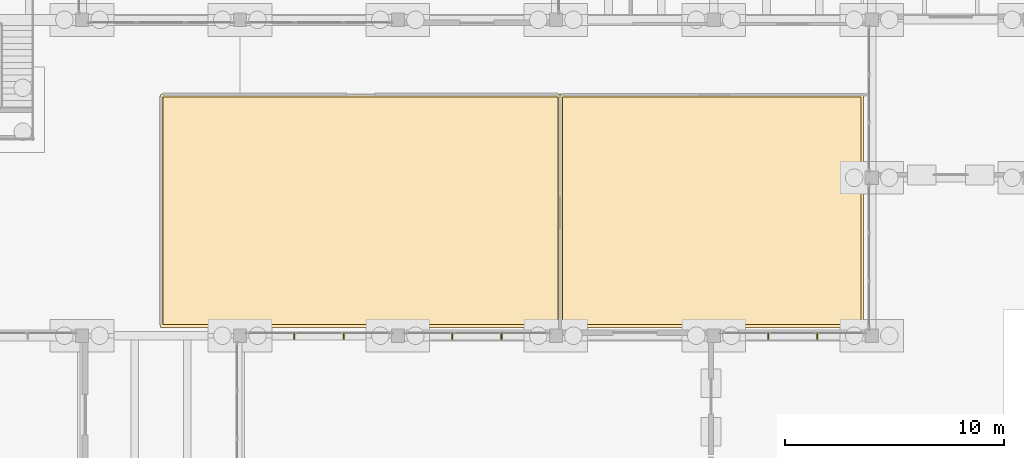
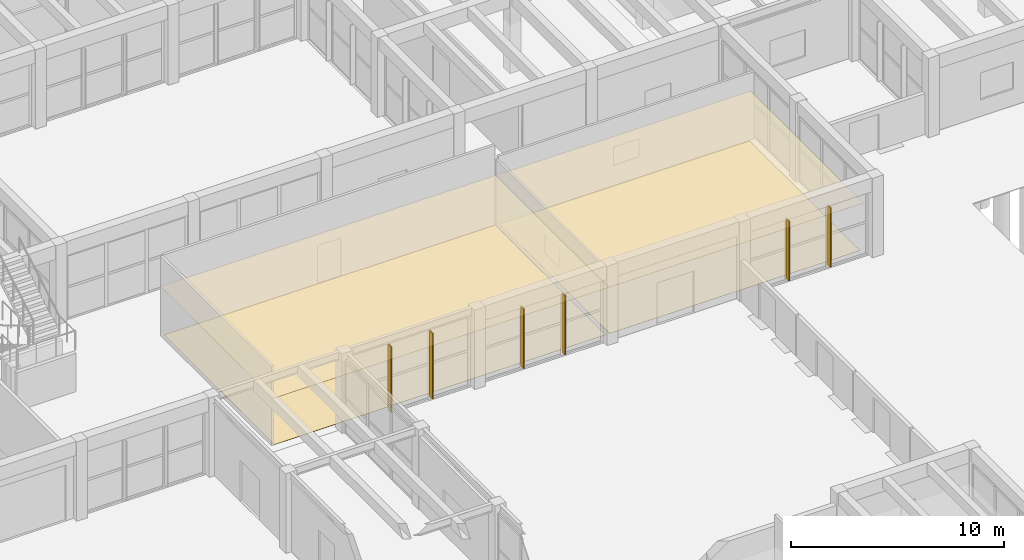
# One storey, part 139 of 155: 6 shading devices, 4 coverings.
"""IFC4 building model written with IfcOpenShell, lengths in metres."""

from ifc_helpers import new_model, si_unit, direction, frame, origin, origin_2d, place, context, subcontext, project, spatial, polyline, rectangle, outline, extrude, material, layer, layer_set, type_object, element, save


model = new_model("IFC4")

# Units and contexts
model_context = context("Model", 3, precision=1e-05, world=origin(), true_north=direction((0.0, 1.0)))
body_context = subcontext(model_context, "Body", "Model", "MODEL_VIEW")
ifc_project = project(units=[si_unit("LENGTHUNIT", "METRE"), si_unit("AREAUNIT", "SQUARE_METRE"), si_unit("VOLUMEUNIT", "CUBIC_METRE"), si_unit("PLANEANGLEUNIT", "RADIAN"), si_unit("MASSUNIT", "GRAM", prefix="KILO")], contexts=[model_context])

# Site, building, storey
site_placement = place(None, origin())
site = spatial("IfcSite", under=ifc_project, at=site_placement, CompositionType="ELEMENT")
building_placement = place(site_placement, origin())
building = spatial("IfcBuilding", under=site, at=building_placement, Name="Bramvelor Terrace Health Centre", CompositionType="ELEMENT")
storey_placement = place(building_placement, origin())
storey = spatial("IfcBuildingStorey", under=building, at=storey_placement, Name="L01", CompositionType="ELEMENT", Elevation=0.0)

# Coverings
ifc_material_1 = material(Name="Hygienic mineral-fibre acoustic ceiling", Category="gypsum")
ifc_layer_1 = layer(ifc_material_1, 0.02001953125)
ifc_layer_set_1 = layer_set([ifc_layer_1], Name="Hygienic mineral-fibre acoustic ceiling")
covering_type_1 = type_object("IfcCoveringType", Name="COV-CLG-ACT", PredefinedType="CEILING", material=ifc_layer_set_1)
covering_1_placement = place(storey_placement, frame((0.0, 0.0, 2.75)))
element("IfcCovering", 1, at=covering_1_placement, inside=storey, type_object=covering_type_1, Name="L01 Main Public Waiting and Reception Hall Acoustic Ceiling", PredefinedType="CEILING", context=body_context, shape_type="SweptSolid", body=[
    extrude(outline(polyline([(79.389892578125, 47.010009765625), (79.39208984375, 47.010009765625), (79.393798828125, 47.009521484375), (79.395751953125, 47.009033203125), (79.397705078125, 47.008544921875), (79.3994140625, 47.007568359375), (79.401123046875, 47.006591796875), (79.402587890625, 47.005615234375), (79.404052734375, 47.004150390625), (79.405517578125, 47.002685546875), (79.406494140625, 47.001220703125), (79.40771484375, 46.99951171875), (79.408447265625, 46.997802734375), (79.4091796875, 46.995849609375), (79.40966796875, 46.993896484375), (79.409912109375, 46.991943359375), (79.409912109375, 46.989990234375), (79.409912109375, 36.39990234375), (79.409912109375, 36.39794921875), (79.40966796875, 36.39599609375), (79.4091796875, 36.394287109375), (79.408447265625, 36.392333984375), (79.40771484375, 36.390625), (79.406494140625, 36.388916015625), (79.405517578125, 36.38720703125), (79.404052734375, 36.385986328125), (79.402587890625, 36.384521484375), (79.401123046875, 36.38330078125), (79.3994140625, 36.38232421875), (79.397705078125, 36.381591796875), (79.395751953125, 36.380859375), (79.393798828125, 36.38037109375), (79.39208984375, 36.380126953125), (79.389892578125, 36.3798828125), (61.201904296875, 36.3798828125), (61.199951171875, 36.380126953125), (61.197998046875, 36.38037109375), (61.1962890625, 36.380859375), (61.1943359375, 36.381591796875), (61.192626953125, 36.38232421875), (61.19091796875, 36.38330078125), (61.189208984375, 36.384521484375), (61.18798828125, 36.385986328125), (61.1865234375, 36.38720703125), (61.185302734375, 36.388916015625), (61.184326171875, 36.390625), (61.18359375, 36.392333984375), (61.182861328125, 36.394287109375), (61.182373046875, 36.39599609375), (61.18212890625, 36.39794921875), (61.181884765625, 36.39990234375), (61.181884765625, 46.989990234375), (61.18212890625, 46.991943359375), (61.182373046875, 46.993896484375), (61.182861328125, 46.995849609375), (61.18359375, 46.997802734375), (61.184326171875, 46.99951171875), (61.185302734375, 47.001220703125), (61.1865234375, 47.002685546875), (61.18798828125, 47.004150390625), (61.189208984375, 47.005615234375), (61.19091796875, 47.006591796875), (61.192626953125, 47.007568359375), (61.1943359375, 47.008544921875), (61.1962890625, 47.009033203125), (61.197998046875, 47.009521484375), (61.199951171875, 47.010009765625), (61.201904296875, 47.010009765625), (79.389892578125, 47.010009765625)])), origin(), (0.0, 0.0, 1.0), 0.02001953125),
])
covering_2_placement = place(storey_placement, frame((0.0, 0.0, 2.75)))
element("IfcCovering", 2, at=covering_2_placement, inside=storey, type_object=covering_type_1, Name="L01 Patient Registration and Triage Clinic Acoustic Ceiling", PredefinedType="CEILING", context=body_context, shape_type="SweptSolid", body=[
    extrude(outline(polyline([(79.3798828125, 46.989990234375), (79.380126953125, 46.991943359375), (79.38037109375, 46.993896484375), (79.380859375, 46.995849609375), (79.381591796875, 46.997802734375), (79.38232421875, 46.99951171875), (79.38330078125, 47.001220703125), (79.384521484375, 47.002685546875), (79.385986328125, 47.004150390625), (79.38720703125, 47.005615234375), (79.388916015625, 47.006591796875), (79.390625, 47.007568359375), (79.392333984375, 47.008544921875), (79.394287109375, 47.009033203125), (79.39599609375, 47.009521484375), (79.39794921875, 47.010009765625), (79.39990234375, 47.010009765625), (93.199951171875, 47.010009765625), (93.201904296875, 47.010009765625), (93.203857421875, 47.009521484375), (93.205810546875, 47.009033203125), (93.207763671875, 47.008544921875), (93.20947265625, 47.007568359375), (93.211181640625, 47.006591796875), (93.212646484375, 47.005615234375), (93.214111328125, 47.004150390625), (93.215576171875, 47.002685546875), (93.216552734375, 47.001220703125), (93.217529296875, 46.99951171875), (93.218505859375, 46.997802734375), (93.218994140625, 46.995849609375), (93.219482421875, 46.993896484375), (93.219970703125, 46.991943359375), (93.219970703125, 46.989990234375), (93.219970703125, 36.39990234375), (93.219970703125, 36.39794921875), (93.219482421875, 36.39599609375), (93.218994140625, 36.394287109375), (93.218505859375, 36.392333984375), (93.217529296875, 36.390625), (93.216552734375, 36.388916015625), (93.215576171875, 36.38720703125), (93.214111328125, 36.385986328125), (93.212646484375, 36.384521484375), (93.211181640625, 36.38330078125), (93.20947265625, 36.38232421875), (93.207763671875, 36.381591796875), (93.205810546875, 36.380859375), (93.203857421875, 36.38037109375), (93.201904296875, 36.380126953125), (93.199951171875, 36.3798828125), (79.39990234375, 36.3798828125), (79.39794921875, 36.380126953125), (79.39599609375, 36.38037109375), (79.394287109375, 36.380859375), (79.392333984375, 36.381591796875), (79.390625, 36.38232421875), (79.388916015625, 36.38330078125), (79.38720703125, 36.384521484375), (79.385986328125, 36.385986328125), (79.384521484375, 36.38720703125), (79.38330078125, 36.388916015625), (79.38232421875, 36.390625), (79.381591796875, 36.392333984375), (79.380859375, 36.394287109375), (79.38037109375, 36.39599609375), (79.380126953125, 36.39794921875), (79.3798828125, 36.39990234375), (79.3798828125, 46.989990234375)])), origin(), (0.0, 0.0, 1.0), 0.02001953125),
])
ifc_material_2 = material(Name="Seamless antimicrobial clinical vinyl", Category="polymer")
ifc_layer_2 = layer(ifc_material_2, 0.008056640625)
ifc_layer_set_2 = layer_set([ifc_layer_2], Name="Seamless antimicrobial clinical vinyl")
covering_type_2 = type_object("IfcCoveringType", Name="COV-FLR-VNL", PredefinedType="FLOORING", material=ifc_layer_set_2)
covering_3_placement = place(storey_placement, origin())
element("IfcCovering", 3, at=covering_3_placement, inside=storey, type_object=covering_type_2, Name="L01 Main Public Waiting and Reception Hall Clinical Vinyl Flooring", PredefinedType="FLOORING", context=body_context, shape_type="SweptSolid", body=[
    extrude(outline(polyline([(79.2900390625, 46.889892578125), (79.2900390625, 36.5), (61.302001953125, 36.5), (61.302001953125, 46.889892578125), (79.2900390625, 46.889892578125)])), origin(), (0.0, 0.0, 1.0), 0.008056640625),
])
covering_4_placement = place(storey_placement, origin())
element("IfcCovering", 4, at=covering_4_placement, inside=storey, type_object=covering_type_2, Name="L01 Patient Registration and Triage Clinic Clinical Vinyl Flooring", PredefinedType="FLOORING", context=body_context, shape_type="SweptSolid", body=[
    extrude(outline(polyline([(79.5, 46.889892578125), (93.10009765625, 46.889892578125), (93.10009765625, 36.5), (79.5, 36.5), (79.5, 46.889892578125)])), origin(), (0.0, 0.0, 1.0), 0.008056640625),
])

# Shading devices
ifc_material_3 = material(Name="Anodized aluminium 6063-T6", Category="aluminium")
ifc_layer_3 = layer(ifc_material_3, 0.050048828125)
ifc_layer_set_3 = layer_set([ifc_layer_3], Name="Anodized aluminium 6063-T6")
shading_device_type = type_object("IfcShadingDeviceType", Name="SHD-FIN-300", PredefinedType="JALOUSIE", material=ifc_layer_set_3)
for number, where, z_axis, x_axis, name in (
    (5, (91.123779296875, 35.97998046875, 0.150146484375), (0.0, 0.0, 1.0), (1.0, 0.0, 0.0), "L01 Solar Shading Louvre Fin 39"),
    (6, (88.876220703125, 35.97998046875, 0.150146484375), (0.0, 0.0, 1.0), (1.0, 0.0, 0.0), "L01 Solar Shading Louvre Fin 40"),
    (7, (76.7236328125, 35.97998046875, 0.150146484375), (0.0, 0.0, 1.0), (1.0, 0.0, 0.0), "L01 Solar Shading Louvre Fin 41"),
    (8, (74.476318359375, 35.97998046875, 0.150146484375), (0.0, 0.0, 1.0), (1.0, 0.0, 0.0), "L01 Solar Shading Louvre Fin 42"),
):
    element("IfcShadingDevice", number, at=place(storey_placement, frame(where, z_axis=z_axis, x_axis=x_axis)), inside=storey, type_object=shading_device_type, Name=name, PredefinedType="JALOUSIE", context=body_context, shape_type="SweptSolid", body=[
        extrude(rectangle(XDim=0.050048828125, YDim=0.300048828125, at=origin_2d()), origin(), (0.0, 0.0, 1.0), 3.419921875),
    ])
for number, where, z_axis, x_axis, name in (
    (9, (69.523681640625, 35.97998046875, 0.14990234375), (0.0, 0.0, 1.0), (1.0, 0.0, 0.0), "L01 Solar Shading Louvre Fin 43"),
    (10, (67.2763671875, 35.97998046875, 0.14990234375), (0.0, 0.0, 1.0), (1.0, 0.0, 0.0), "L01 Solar Shading Louvre Fin 44"),
):
    element("IfcShadingDevice", number, at=place(storey_placement, frame(where, z_axis=z_axis, x_axis=x_axis)), inside=storey, type_object=shading_device_type, Name=name, PredefinedType="JALOUSIE", context=body_context, shape_type="SweptSolid", body=[
        extrude(rectangle(XDim=0.050048828125, YDim=0.300048828125, at=origin_2d()), origin(), (0.0, 0.0, 1.0), 3.76708984375),
    ])

save(model, "model.ifc")
